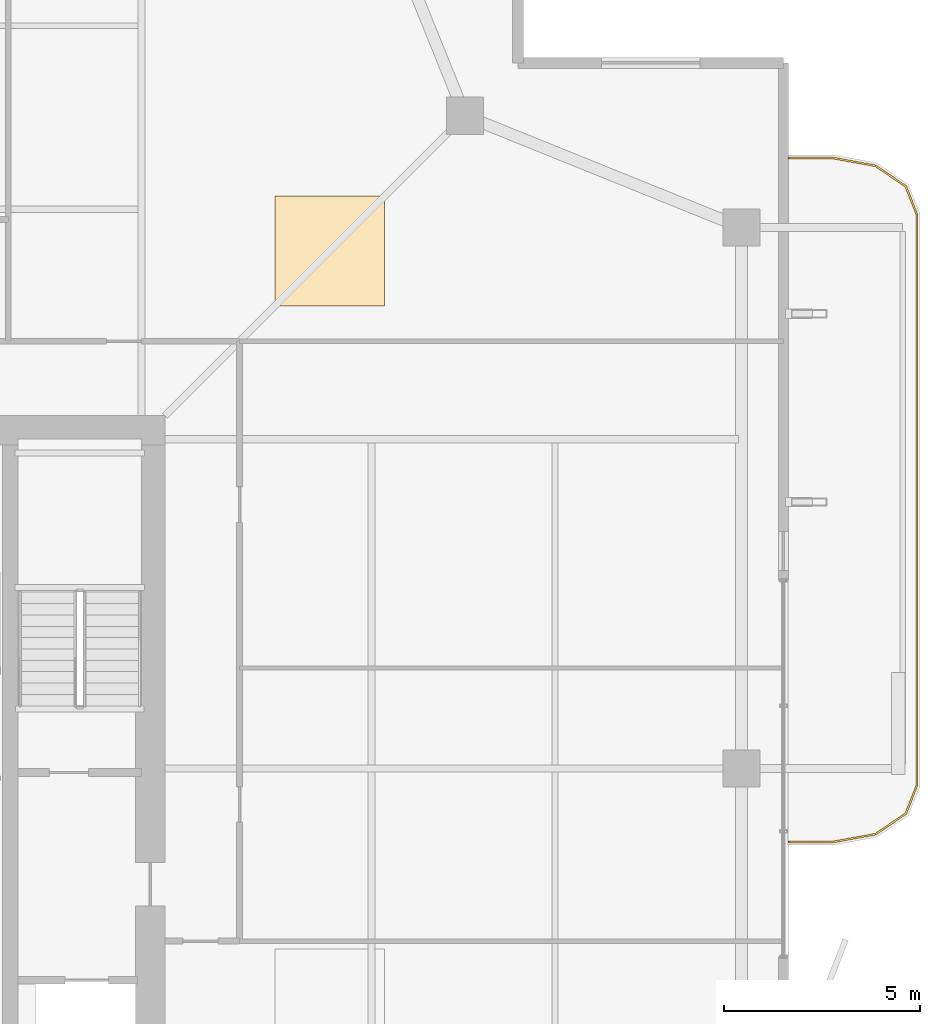
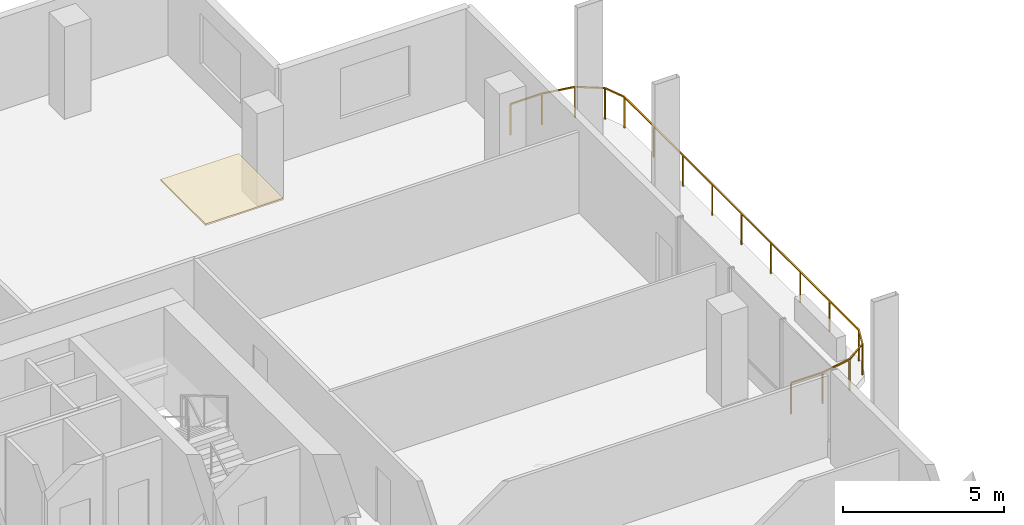
# One storey, part 25 of 25: 1 covering, 1 railing.
"""IFC4 building model written with IfcOpenShell, lengths in metres."""

from ifc_helpers import new_model, si_unit, direction, frame, origin, origin_2d, place, context, subcontext, project, spatial, polyline, rectangle, outline, extrude, material, layer, layer_set, type_object, element, save


model = new_model("IFC4")

# Units and contexts
model_context = context("Model", 3, precision=1e-05, world=origin(), true_north=direction((0.0, 1.0)))
body_context = subcontext(model_context, "Body", "Model", "MODEL_VIEW")
ifc_project = project(units=[si_unit("LENGTHUNIT", "METRE"), si_unit("AREAUNIT", "SQUARE_METRE"), si_unit("VOLUMEUNIT", "CUBIC_METRE"), si_unit("PLANEANGLEUNIT", "RADIAN"), si_unit("MASSUNIT", "GRAM", prefix="KILO")], contexts=[model_context])

# Site, building, storey
site_placement = place(None, origin())
site = spatial("IfcSite", under=ifc_project, at=site_placement, CompositionType="ELEMENT")
building_placement = place(site_placement, origin())
building = spatial("IfcBuilding", under=site, at=building_placement, Name="Belovzor Exchange Tower", CompositionType="ELEMENT")
storey_placement = place(building_placement, frame((0.0, 0.0, 257.85009765625)))
storey = spatial("IfcBuildingStorey", under=building, at=storey_placement, Name="L64", CompositionType="ELEMENT", Elevation=257.85009765625)

# Railing
ifc_material_1 = material(Name="Stainless Steel and Laminated Safety Glass", Category="steel")
railing_type = type_object("IfcRailingType", Name="Laminated Glass & Stainless Steel Balcony Balustrade 1200", PredefinedType="BALUSTRADE", material=ifc_material_1)
railing_placement = place(storey_placement, frame((53.7099609375, 26.929931640625, 0.0)))
element("IfcRailing", 1, at=railing_placement, inside=storey, type_object=railing_type, Name="GR-1 Balcony Balustrade L64 East", PredefinedType="BALUSTRADE", context=body_context, shape_type="SweptSolid", body=[
    extrude(rectangle(XDim=0.048095703125, YDim=0.048095703125, at=origin_2d()), frame((0.0, 0.0, 1.17578125), z_axis=(1.0, 0.0, 0.0), x_axis=(0.0, 1.0, 0.0)), (0.0, 0.0, 1.0), 1.133056640625),
    extrude(rectangle(XDim=0.048095703125, YDim=0.048095703125, at=origin_2d()), frame((1.133056640625, 0.0, 1.17578125), z_axis=(0.983644145941, 0.180122719713, 0.0), x_axis=(-0.180122719713, 0.983644145941, 0.0)), (0.0, 0.0, 1.0), 1.09375),
    extrude(rectangle(XDim=0.048095703125, YDim=0.048095703125, at=origin_2d()), frame((2.208984375, 0.197021484375, 1.17578125), z_axis=(0.826493025367, 0.56294695933, 0.0), x_axis=(-0.56294695933, 0.826493025367, 0.0)), (0.0, 0.0, 1.0), 0.932861328125),
    extrude(rectangle(XDim=0.048095703125, YDim=0.048095703125, at=origin_2d()), frame((2.97998046875, 0.72216796875, 1.17578125), z_axis=(0.365612923861, 0.930766990125, 0.0), x_axis=(-0.930766990125, 0.365612923861, 0.0)), (0.0, 0.0, 1.0), 0.765869140625),
    extrude(rectangle(XDim=0.048095703125, YDim=0.048095703125, at=origin_2d()), frame((3.260009765625, 1.43505859375, 1.17578125), z_axis=(0.0, 1.0, 0.0), x_axis=(-1.0, 0.0, 0.0)), (0.0, 0.0, 1.0), 14.570068359375),
    extrude(rectangle(XDim=0.048095703125, YDim=0.048095703125, at=origin_2d()), frame((3.260009765625, 16.005126953125, 1.17578125), z_axis=(-0.365612923861, 0.930766990125, 0.0), x_axis=(-0.930766990125, -0.365612923861, 0.0)), (0.0, 0.0, 1.0), 0.765869140625),
    extrude(rectangle(XDim=0.048095703125, YDim=0.048095703125, at=origin_2d()), frame((2.97998046875, 16.718017578125, 1.17578125), z_axis=(-0.826493025367, 0.56294695933, 0.0), x_axis=(-0.56294695933, -0.826493025367, 0.0)), (0.0, 0.0, 1.0), 0.932861328125),
    extrude(rectangle(XDim=0.048095703125, YDim=0.048095703125, at=origin_2d()), frame((2.208984375, 17.2431640625, 1.17578125), z_axis=(-0.983644145941, 0.180122719713, 0.0), x_axis=(-0.180122719713, -0.983644145941, 0.0)), (0.0, 0.0, 1.0), 1.09375),
    extrude(rectangle(XDim=0.048095703125, YDim=0.048095703125, at=origin_2d()), frame((1.133056640625, 17.440185546875, 1.17578125), z_axis=(-1.0, 0.0, 0.0), x_axis=(0.0, -1.0, 0.0)), (0.0, 0.0, 1.0), 1.133056640625),
    extrude(rectangle(XDim=0.0419921875, YDim=0.0419921875, at=origin_2d()), origin(), (0.0, 0.0, 1.0), 1.15185546875),
    extrude(rectangle(XDim=0.0419921875, YDim=0.0419921875, at=origin_2d()), frame((1.133056640625, 0.0, 0.0)), (0.0, 0.0, 1.0), 1.15185546875),
    extrude(rectangle(XDim=0.0419921875, YDim=0.0419921875, at=origin_2d()), frame((2.208984375, 0.197021484375, 0.0)), (0.0, 0.0, 1.0), 1.15185546875),
    extrude(rectangle(XDim=0.0419921875, YDim=0.0419921875, at=origin_2d()), frame((2.97998046875, 0.72216796875, 0.0)), (0.0, 0.0, 1.0), 1.15185546875),
    extrude(rectangle(XDim=0.0419921875, YDim=0.0419921875, at=origin_2d()), frame((3.260009765625, 1.43505859375, 0.0)), (0.0, 0.0, 1.0), 1.15185546875),
    extrude(rectangle(XDim=0.0419921875, YDim=0.0419921875, at=origin_2d()), frame((3.260009765625, 3.25634765625, 0.0)), (0.0, 0.0, 1.0), 1.15185546875),
    extrude(rectangle(XDim=0.0419921875, YDim=0.0419921875, at=origin_2d()), frame((3.260009765625, 5.07763671875, 0.0)), (0.0, 0.0, 1.0), 1.15185546875),
    extrude(rectangle(XDim=0.0419921875, YDim=0.0419921875, at=origin_2d()), frame((3.260009765625, 6.89892578125, 0.0)), (0.0, 0.0, 1.0), 1.15185546875),
    extrude(rectangle(XDim=0.0419921875, YDim=0.0419921875, at=origin_2d()), frame((3.260009765625, 8.72021484375, 0.0)), (0.0, 0.0, 1.0), 1.15185546875),
    extrude(rectangle(XDim=0.0419921875, YDim=0.0419921875, at=origin_2d()), frame((3.260009765625, 10.541259765625, 0.0)), (0.0, 0.0, 1.0), 1.15185546875),
    extrude(rectangle(XDim=0.0419921875, YDim=0.0419921875, at=origin_2d()), frame((3.260009765625, 12.362548828125, 0.0)), (0.0, 0.0, 1.0), 1.15185546875),
    extrude(rectangle(XDim=0.0419921875, YDim=0.0419921875, at=origin_2d()), frame((3.260009765625, 14.183837890625, 0.0)), (0.0, 0.0, 1.0), 1.15185546875),
    extrude(rectangle(XDim=0.0419921875, YDim=0.0419921875, at=origin_2d()), frame((3.260009765625, 16.005126953125, 0.0)), (0.0, 0.0, 1.0), 1.15185546875),
    extrude(rectangle(XDim=0.0419921875, YDim=0.0419921875, at=origin_2d()), frame((2.97998046875, 16.718017578125, 0.0)), (0.0, 0.0, 1.0), 1.15185546875),
    extrude(rectangle(XDim=0.0419921875, YDim=0.0419921875, at=origin_2d()), frame((2.208984375, 17.2431640625, 0.0)), (0.0, 0.0, 1.0), 1.15185546875),
    extrude(rectangle(XDim=0.0419921875, YDim=0.0419921875, at=origin_2d()), frame((1.133056640625, 17.440185546875, 0.0)), (0.0, 0.0, 1.0), 1.15185546875),
    extrude(rectangle(XDim=0.0419921875, YDim=0.0419921875, at=origin_2d()), frame((0.0, 17.440185546875, 0.0)), (0.0, 0.0, 1.0), 1.15185546875),
])

# Covering
ifc_material_2 = material(Name="Perforated Powder-Coated Aluminium", Category="aluminium")
ifc_layer = layer(ifc_material_2, 0.06005859375)
ifc_layer_set = layer_set([ifc_layer], Name="Perforated Powder-Coated Aluminium")
covering_type = type_object("IfcCoveringType", Name="Perforated Acoustic Metal Tile Suspended Ceiling 60", PredefinedType="CEILING", material=ifc_layer_set)
covering_placement = place(storey_placement, frame((0.0, 0.0, 3.43994140625)))
element("IfcCovering", 2, at=covering_placement, inside=storey, type_object=covering_type, Name="CLG-AC60 Suspended Ceiling CLG-L64-Z1", PredefinedType="CEILING", context=body_context, shape_type="SweptSolid", body=[
    extrude(outline(polyline([(40.60009765625, 40.60009765625), (43.39990234375, 40.60009765625), (43.39990234375, 43.39990234375), (40.60009765625, 43.39990234375), (40.60009765625, 40.60009765625)])), origin(), (0.0, 0.0, 1.0), 0.06005859375),
])

save(model, "model.ifc")
